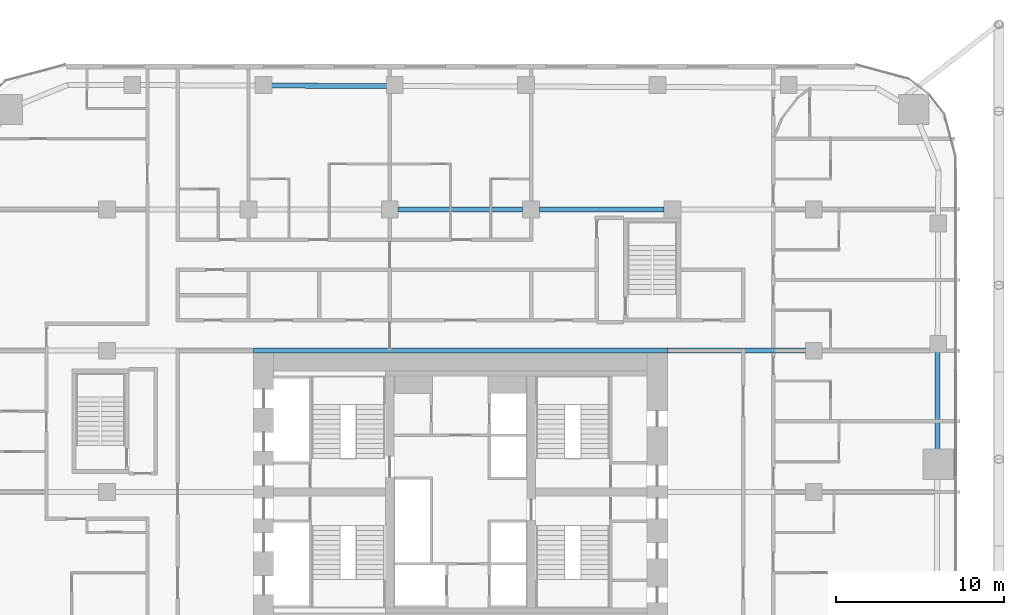
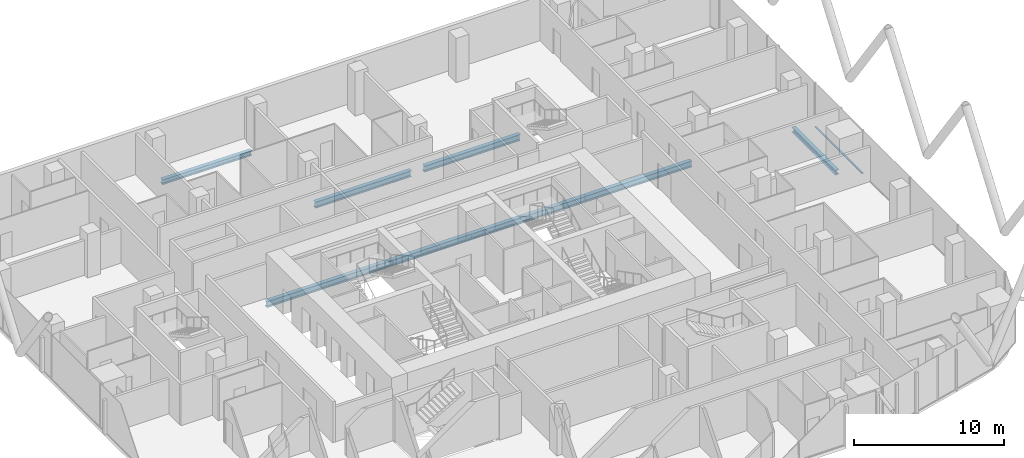
# One storey, part 11 of 34: 6 beams, 1 member, 1 element without a shape of its own.
"""IFC4 building model written with IfcOpenShell, lengths in metres."""

from ifc_helpers import new_model, si_unit, direction, frame, origin, origin_2d, place, context, subcontext, project, spatial, rectangle, i_section, extrude, material, layer, layer_set, material_profile, profile_set, type_object, element, aggregate, save


model = new_model("IFC4")

# Units and contexts
model_context = context("Model", 3, precision=1e-05, world=origin(), true_north=direction((0.0, 1.0)))
body_context = subcontext(model_context, "Body", "Model", "MODEL_VIEW")
ifc_project = project(units=[si_unit("LENGTHUNIT", "METRE"), si_unit("AREAUNIT", "SQUARE_METRE"), si_unit("VOLUMEUNIT", "CUBIC_METRE"), si_unit("PLANEANGLEUNIT", "RADIAN"), si_unit("MASSUNIT", "GRAM", prefix="KILO")], contexts=[model_context])

# Site, building, storey
site_placement = place(None, origin())
site = spatial("IfcSite", under=ifc_project, at=site_placement, CompositionType="ELEMENT")
building_placement = place(site_placement, origin())
building = spatial("IfcBuilding", under=site, at=building_placement, Name="Marenta Gate Hotel Tower", CompositionType="ELEMENT")
storey_placement = place(building_placement, frame((0.0, 0.0, 47.300048828125)))
storey = spatial("IfcBuildingStorey", under=building, at=storey_placement, Name="L09", CompositionType="ELEMENT", Elevation=47.300048828125)

# Beams
ifc_material_1 = material(Name="Steel S355", Category="steel")
ifc_material_profile_1 = material_profile(ifc_material_1, i_section(OverallWidth=0.300048828125, OverallDepth=0.39990234375, WebThickness=0.013427734375, FlangeThickness=0.02392578125, FilletRadius=0.027099609375, at=origin_2d()), Name="HEB 400")
ifc_profile_set_1 = profile_set([ifc_material_profile_1], Name="Steel S355")
beam_type_1 = type_object("IfcBeamType", Name="Edge beam HEB 400", PredefinedType="SPANDREL", material=ifc_profile_set_1)
beam_1_placement = place(storey_placement, frame((-11.244140625, 32.554931640625, -0.4599609375), z_axis=(0.999993064268, -0.003724435008, 0.0), x_axis=(0.003724435008, 0.999993064268, 0.0)))
element("IfcBeam", 1, at=beam_1_placement, inside=storey, type_object=beam_type_1, Name="L09-EB-15", PredefinedType="SPANDREL", context=body_context, shape_type="SweptSolid", body=[
    extrude(i_section(OverallWidth=0.300048828125, OverallDepth=0.39990234375, WebThickness=0.013427734375, FlangeThickness=0.02392578125, FilletRadius=0.027099609375, at=origin_2d()), origin(), (0.0, 0.0, 1.0), 6.8828125),
])
beam_2_placement = place(storey_placement, frame((28.364013671875, 16.7431640625, -0.4599609375), z_axis=(-0.003306389661, -0.999994533879, 0.0), x_axis=(0.999994533879, -0.003306389661, 0.0)))
element("IfcBeam", 2, at=beam_2_placement, inside=storey, type_object=beam_type_1, Name="L09-EB-24", PredefinedType="SPANDREL", context=body_context, shape_type="SweptSolid", body=[
    extrude(i_section(OverallWidth=0.300048828125, OverallDepth=0.39990234375, WebThickness=0.013427734375, FlangeThickness=0.02392578125, FilletRadius=0.027099609375, at=origin_2d()), origin(), (0.0, 0.0, 1.0), 5.833251953125),
])
ifc_material_2 = material(Name="Steel S355", Category="steel")
ifc_material_profile_2 = material_profile(ifc_material_2, i_section(OverallWidth=0.300048828125, OverallDepth=0.5, WebThickness=0.014404296875, FlangeThickness=0.028076171875, FilletRadius=0.027099609375, at=origin_2d()), Name="HEB 500")
ifc_profile_set_2 = profile_set([ifc_material_profile_2], Name="Steel S355")
beam_type_2 = type_object("IfcBeamType", Name="Girder HEB 500", PredefinedType="BEAM", material=ifc_profile_set_2)
beam_3_placement = place(storey_placement, frame((-12.300048828125, 16.800048828125, -0.510009765625), z_axis=(1.0, 0.0, 0.0), x_axis=(0.0, 1.0, 0.0)))
element("IfcBeam", 3, at=beam_3_placement, inside=storey, type_object=beam_type_2, Name="L09-GD-19", PredefinedType="BEAM", context=body_context, shape_type="SweptSolid", body=[
    extrude(i_section(OverallWidth=0.300048828125, OverallDepth=0.5, WebThickness=0.014404296875, FlangeThickness=0.028076171875, FilletRadius=0.027099609375, at=origin_2d()), origin(), (0.0, 0.0, 1.0), 24.60009765625),
])
beam_4_placement = place(storey_placement, frame((12.300048828125, 16.800048828125, -0.510009765625), z_axis=(1.0, 0.0, 0.0), x_axis=(0.0, 1.0, 0.0)))
element("IfcBeam", 4, at=beam_4_placement, inside=storey, type_object=beam_type_2, Name="L09-GD-20", PredefinedType="BEAM", context=body_context, shape_type="SweptSolid", body=[
    extrude(i_section(OverallWidth=0.300048828125, OverallDepth=0.5, WebThickness=0.014404296875, FlangeThickness=0.028076171875, FilletRadius=0.027099609375, at=origin_2d()), origin(), (0.0, 0.0, 1.0), 8.199951171875),
])
beam_5_placement = place(storey_placement, frame((-3.699951171875, 25.199951171875, -0.510009765625), z_axis=(1.0, 0.0, 0.0), x_axis=(0.0, 1.0, 0.0)))
element("IfcBeam", 5, at=beam_5_placement, inside=storey, type_object=beam_type_2, Name="L09-GD-25", PredefinedType="BEAM", context=body_context, shape_type="SweptSolid", body=[
    extrude(i_section(OverallWidth=0.300048828125, OverallDepth=0.5, WebThickness=0.014404296875, FlangeThickness=0.028076171875, FilletRadius=0.027099609375, at=origin_2d()), origin(), (0.0, 0.0, 1.0), 7.39990234375),
])
beam_6_placement = place(storey_placement, frame((4.699951171875, 25.199951171875, -0.510009765625), z_axis=(1.0, 0.0, 0.0), x_axis=(0.0, 1.0, 0.0)))
element("IfcBeam", 6, at=beam_6_placement, inside=storey, type_object=beam_type_2, Name="L09-GD-26", PredefinedType="BEAM", context=body_context, shape_type="SweptSolid", body=[
    extrude(i_section(OverallWidth=0.300048828125, OverallDepth=0.5, WebThickness=0.014404296875, FlangeThickness=0.028076171875, FilletRadius=0.027099609375, at=origin_2d()), origin(), (0.0, 0.0, 1.0), 7.400146484375),
])

# Curtain wall, member
ifc_material_3 = material(Name="Tinted insulated glass in bronze anodised frame", Category="glass")
ifc_layer = layer(ifc_material_3, 0.1201171875)
ifc_layer_set = layer_set([ifc_layer], Name="Tinted insulated glass in bronze anodised frame")
curtain_wall_type = type_object("IfcCurtainWallType", Name="Tower unitised curtain wall CW1", PredefinedType="NOTDEFINED", material=ifc_layer_set)
curtain_wall_placement = place(storey_placement, origin())
curtain_wall = element("IfcCurtainWall", 7, at=curtain_wall_placement, inside=storey, type_object=curtain_wall_type, Name="CW1 run G18", PredefinedType="NOTDEFINED")
ifc_material_4 = material(Name="Bronze anodised aluminium", Category="aluminium")
ifc_material_profile_3 = material_profile(ifc_material_4, rectangle(XDim=0.1201171875, YDim=0.06005859375, at=origin_2d()), Name="Transom CW1 60x120 bronze anodised aluminium")
ifc_profile_set_3 = profile_set([ifc_material_profile_3], Name="Bronze anodised aluminium")
member_type = type_object("IfcMemberType", Name="Transom CW1 60x120 bronze anodised aluminium", PredefinedType="USERDEFINED", material=ifc_profile_set_3)
member_placement = place(storey_placement, frame((29.4140625, 9.342041015625, 0.030029296875), z_axis=(0.0, 1.0, 0.0), x_axis=(-1.0, 0.0, 0.0)))
member = element("IfcMember", 8, at=member_placement, type_object=member_type, Name="CW1 transom 4.1", ObjectType="TRANSOM", PredefinedType="USERDEFINED", context=body_context, shape_type="SweptSolid", body=[
    extrude(rectangle(XDim=0.1201171875, YDim=0.06005859375, at=origin_2d()), origin(), (0.0, 0.0, 1.0), 6.2998046875),
])
aggregate(curtain_wall, [member])

save(model, "model.ifc")
